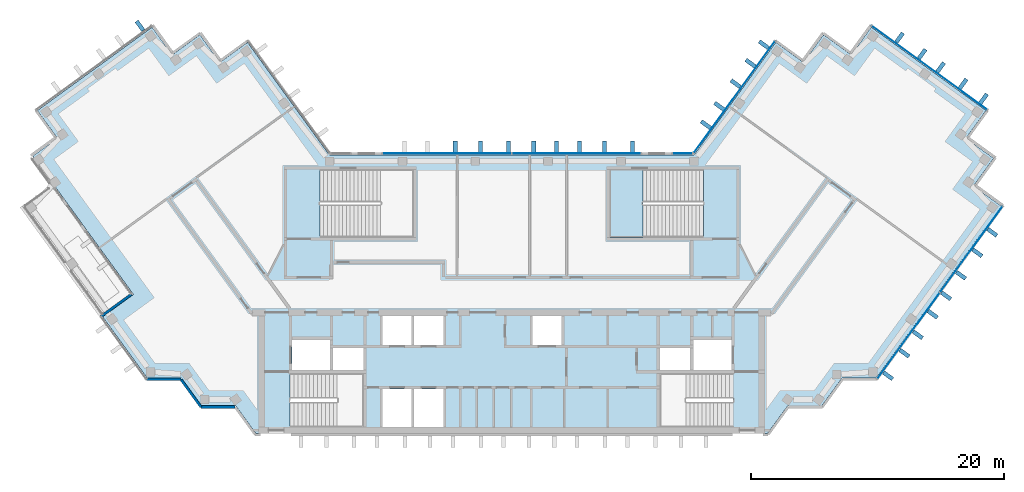
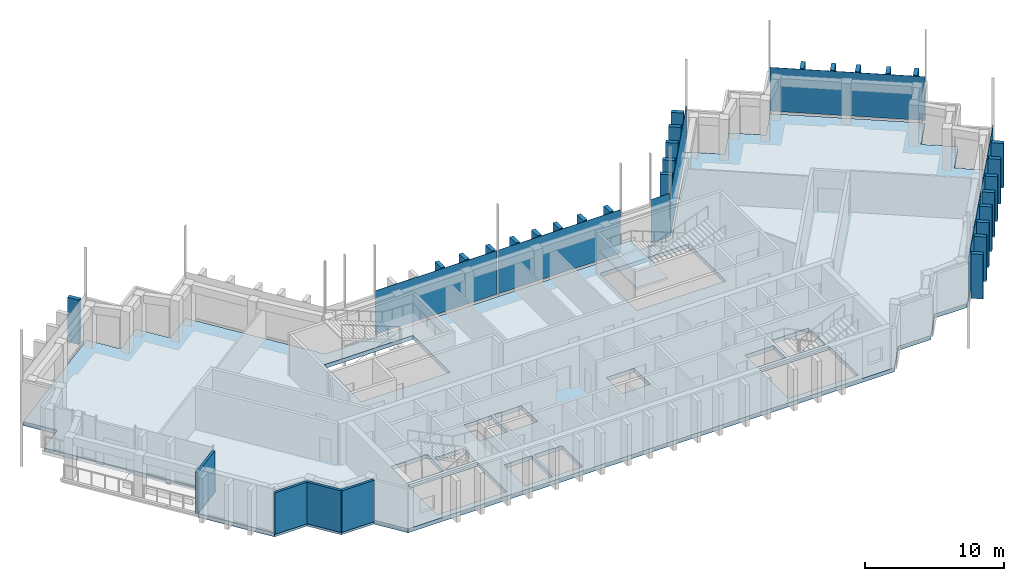
# One storey, part 8 of 14: 34 plates, 4 walls, 2 slabs, 6 elements without a shape of their own.
"""IFC4 building model written with IfcOpenShell, lengths in metres."""

from ifc_helpers import new_model, si_unit, direction, frame, frame_2d, origin, origin_2d, place, context, subcontext, project, spatial, polyline, rectangle, outline, extrude, material, layer, layer_set, type_object, element, aggregate, save


model = new_model("IFC4")

# Units and contexts
model_context = context("Model", 3, precision=1e-05, world=origin(), true_north=direction((0.0, 1.0)))
body_context = subcontext(model_context, "Body", "Model", "MODEL_VIEW")
ifc_project = project(units=[si_unit("LENGTHUNIT", "METRE"), si_unit("AREAUNIT", "SQUARE_METRE"), si_unit("VOLUMEUNIT", "CUBIC_METRE"), si_unit("PLANEANGLEUNIT", "RADIAN"), si_unit("MASSUNIT", "GRAM", prefix="KILO")], contexts=[model_context])

# Site, building, storey
site_placement = place(None, origin())
site = spatial("IfcSite", under=ifc_project, at=site_placement, CompositionType="ELEMENT")
building_placement = place(site_placement, origin())
building = spatial("IfcBuilding", under=site, at=building_placement, Name="Quipu Civic Tower", CompositionType="ELEMENT")
storey_placement = place(building_placement, frame((0.0, 0.0, 257.0)))
storey = spatial("IfcBuildingStorey", under=building, at=storey_placement, Name="L60", CompositionType="ELEMENT", Elevation=257.0)

# Slab
ifc_material_1 = material(Name="Concrete C40/50", Category="concrete")
ifc_layer_1 = layer(ifc_material_1, 0.35009765625)
ifc_layer_set_1 = layer_set([ifc_layer_1], Name="Concrete C40/50")
slab_type_1 = type_object("IfcSlabType", Name="Floor slab 350 C40/50", PredefinedType="FLOOR", material=ifc_layer_set_1)
slab_1_placement = place(storey_placement, frame((0.0, 0.0, -0.35009765625)))
element("IfcSlab", 1, at=slab_1_placement, inside=storey, type_object=slab_type_1, Name="Floor slab L60", PredefinedType="FLOOR", context=body_context, shape_type="SweptSolid", body=[
    extrude(outline(polyline([(-28.39990234375, 21.090087890625), (-26.81494140625, 18.905029296875), (-24.6298828125, 20.4951171875), (-23.0400390625, 18.31005859375), (-20.860107421875, 19.89501953125), (-14.39501953125, 11.0), (14.39501953125, 11.0), (20.860107421875, 19.89501953125), (23.0400390625, 18.31005859375), (24.6298828125, 20.4951171875), (26.81494140625, 18.905029296875), (28.39990234375, 21.090087890625), (37.4599609375, 14.5048828125), (35.875, 12.320068359375), (38.06005859375, 10.735107421875), (36.469970703125, 8.550048828125), (38.655029296875, 6.965087890625), (28.780029296875, -6.6298828125), (26.080078125, -6.6298828125), (24.489990234375, -8.81494140625), (21.7900390625, -8.81494140625), (20.205078125, -11.0), (-20.205078125, -11.0), (-21.7900390625, -8.81494140625), (-24.489990234375, -8.81494140625), (-26.080078125, -6.6298828125), (-28.780029296875, -6.6298828125), (-32.31005859375, -1.77490234375), (-29.8798828125, -0.010009765625), (-37.81494140625, 10.909912109375), (-35.875, 12.320068359375), (-37.4599609375, 14.5048828125), (-28.39990234375, 21.090087890625)]), holes=[polyline([(-10.199951171875, -10.5), (-7.89990234375, -10.5), (-7.89990234375, -7.5), (-10.199951171875, -7.5), (-10.199951171875, -10.5)]), polyline([(-7.699951171875, -7.5), (-7.699951171875, -10.5), (-5.39990234375, -10.5), (-5.39990234375, -7.5), (-7.699951171875, -7.5)]), polyline([(-11.705078125, -6.2548828125), (-17.4951171875, -6.2548828125), (-17.4951171875, -10.4951171875), (-11.705078125, -10.4951171875), (-11.705078125, -6.2548828125)]), polyline([(-14.10009765625, -6.0), (-11.699951171875, -6.0), (-11.699951171875, -4.25), (-14.10009765625, -4.25), (-14.10009765625, -6.0)]), polyline([(-17.35009765625, -3.60009765625), (-17.35009765625, -6.0), (-14.35009765625, -6.0), (-14.35009765625, -3.60009765625), (-17.35009765625, -3.60009765625)]), polyline([(-10.199951171875, -1.699951171875), (-10.199951171875, -4.0), (-7.89990234375, -4.0), (-7.89990234375, -1.699951171875), (-10.199951171875, -1.699951171875)]), polyline([(-15.14501953125, 9.844970703125), (-15.14501953125, 4.5048828125), (-7.7548828125, 4.5048828125), (-7.7548828125, 9.844970703125), (-15.14501953125, 9.844970703125)]), polyline([(11.705078125, -10.4951171875), (17.4951171875, -10.4951171875), (17.4951171875, -6.2548828125), (11.705078125, -6.2548828125), (11.705078125, -10.4951171875)]), polyline([(11.699951171875, -4.25), (11.699951171875, -6.0), (14.10009765625, -6.0), (14.10009765625, -4.25), (11.699951171875, -4.25)]), polyline([(14.35009765625, -3.60009765625), (14.35009765625, -6.0), (17.35009765625, -6.0), (17.35009765625, -3.60009765625), (14.35009765625, -3.60009765625)]), polyline([(-7.699951171875, -1.699951171875), (-7.699951171875, -4.0), (-5.39990234375, -4.0), (-5.39990234375, -1.699951171875), (-7.699951171875, -1.699951171875)]), polyline([(1.64990234375, -1.699951171875), (1.64990234375, -4.0), (3.949951171875, -4.0), (3.949951171875, -1.699951171875), (1.64990234375, -1.699951171875)]), polyline([(7.7548828125, 4.5048828125), (15.14501953125, 4.5048828125), (15.14501953125, 9.844970703125), (7.7548828125, 9.844970703125), (7.7548828125, 4.5048828125)])]), origin(), (0.0, 0.0, 1.0), 0.35009765625),
])

# Curtain wall, plates
ifc_material_2 = material(Name="Insulated glass unit", Category="glass")
curtain_wall_type = type_object("IfcCurtainWallType", Name="Office curtain wall CW1", PredefinedType="NOTDEFINED", material=ifc_material_2)
curtain_wall_1_placement = place(storey_placement, origin())
curtain_wall_1 = element("IfcCurtainWall", 2, at=curtain_wall_1_placement, inside=storey, type_object=curtain_wall_type, Name="Office curtain wall CW1 L59 run 13", PredefinedType="NOTDEFINED")
ifc_material_3 = material(Name="Insulated glass unit", Category="glass")
ifc_layer_2 = layer(ifc_material_3, 0.028076171875)
ifc_layer_set_2 = layer_set([ifc_layer_2], Name="Insulated glass unit")
plate_type_1 = type_object("IfcPlateType", Name="Glass panel CW1", PredefinedType="CURTAIN_PANEL", material=ifc_layer_set_2)
plate_1_placement = place(storey_placement, frame((31.333251953125, -3.285888671875, 0.16015625), z_axis=(0.0, 0.0, 1.0), x_axis=(0.587786237643, 0.809016278475, 0.0)))
plate_1 = element("IfcPlate", 3, at=plate_1_placement, type_object=plate_type_1, Name="CW1 panel 1.2", PredefinedType="CURTAIN_PANEL", context=body_context, shape_type="SweptSolid", body=[
    extrude(rectangle(XDim=8.35791015625, YDim=0.028076171875, at=origin_2d()), origin(), (0.0, 0.0, 1.0), 3.840087890625),
])
plate_2_placement = place(storey_placement, frame((36.292724609375, 3.54052734375, 0.16015625), z_axis=(0.0, 0.0, 1.0), x_axis=(0.587786237643, 0.809016278475, 0.0)))
plate_2 = element("IfcPlate", 4, at=plate_2_placement, type_object=plate_type_1, Name="CW1 panel 2.2", PredefinedType="CURTAIN_PANEL", context=body_context, shape_type="SweptSolid", body=[
    extrude(rectangle(XDim=8.35791015625, YDim=0.028076171875, at=origin_2d()), origin(), (0.0, 0.0, 1.0), 3.840087890625),
])
aggregate(curtain_wall_1, [plate_1, plate_2])

# Curtain wall, plate
curtain_wall_2_placement = place(storey_placement, origin())
curtain_wall_2 = element("IfcCurtainWall", 5, at=curtain_wall_2_placement, inside=storey, type_object=curtain_wall_type, Name="Office curtain wall CW1 L59 run 18", PredefinedType="NOTDEFINED")
plate_3_placement = place(storey_placement, frame((32.989990234375, 17.87939453125, 0.16015625), z_axis=(0.0, 0.0, 1.0), x_axis=(-0.809015176832, 0.587787753918, 0.0)))
plate_3 = element("IfcPlate", 6, at=plate_3_placement, type_object=plate_type_1, Name="CW1 panel 1.2", PredefinedType="CURTAIN_PANEL", context=body_context, shape_type="SweptSolid", body=[
    extrude(rectangle(XDim=11.239990234375, YDim=0.028076171875, at=origin_2d()), origin(), (0.0, 0.0, 1.0), 3.840087890625),
])
aggregate(curtain_wall_2, [plate_3])

curtain_wall_3_placement = place(storey_placement, origin())
curtain_wall_3 = element("IfcCurtainWall", 7, at=curtain_wall_3_placement, inside=storey, type_object=curtain_wall_type, Name="Office curtain wall CW1 L59 run 23", PredefinedType="NOTDEFINED")
plate_4_placement = place(storey_placement, frame((17.590087890625, 15.5673828125, 0.16015625), z_axis=(0.0, 0.0, 1.0), x_axis=(-0.587787771652, -0.809015163947, 0.0)))
plate_4 = element("IfcPlate", 8, at=plate_4_placement, type_object=plate_type_1, Name="CW1 panel 1.2", PredefinedType="CURTAIN_PANEL", context=body_context, shape_type="SweptSolid", body=[
    extrude(rectangle(XDim=10.88427734375, YDim=0.028076171875, at=origin_2d()), origin(), (0.0, 0.0, 1.0), 3.840087890625),
])
aggregate(curtain_wall_3, [plate_4])

curtain_wall_4_placement = place(storey_placement, origin())
curtain_wall_4 = element("IfcCurtainWall", 9, at=curtain_wall_4_placement, inside=storey, type_object=curtain_wall_type, Name="Office curtain wall CW1 L59 run 24", PredefinedType="NOTDEFINED")
plate_5_placement = place(storey_placement, frame((13.49951171875, 11.10009765625, 0.16015625), z_axis=(0.0, 0.0, 1.0), x_axis=(-1.0, 0.0, 0.0)))
plate_5 = element("IfcPlate", 10, at=plate_5_placement, type_object=plate_type_1, Name="CW1 panel 1.2", PredefinedType="CURTAIN_PANEL", context=body_context, shape_type="SweptSolid", body=[
    extrude(rectangle(XDim=1.529296875, YDim=0.028076171875, at=origin_2d()), origin(), (0.0, 0.0, 1.0), 3.840087890625),
])
aggregate(curtain_wall_4, [plate_5])

# Curtain wall, plates
curtain_wall_5_placement = place(storey_placement, origin())
curtain_wall_5 = element("IfcCurtainWall", 11, at=curtain_wall_5_placement, inside=storey, type_object=curtain_wall_type, Name="Office curtain wall CW1 L59 run 26", PredefinedType="NOTDEFINED")
plate_6_placement = place(storey_placement, frame((5.11181640625, 11.10009765625, 0.16015625), z_axis=(0.0, 0.0, 1.0), x_axis=(-1.0, 0.0, 0.0)))
plate_6 = element("IfcPlate", 12, at=plate_6_placement, type_object=plate_type_1, Name="CW1 panel 1.2", PredefinedType="CURTAIN_PANEL", context=body_context, shape_type="SweptSolid", body=[
    extrude(rectangle(XDim=10.1435546875, YDim=0.028076171875, at=origin_2d()), origin(), (0.0, 0.0, 1.0), 3.840087890625),
])
plate_7_placement = place(storey_placement, frame((-5.11181640625, 11.10009765625, 0.16015625), z_axis=(0.0, 0.0, 1.0), x_axis=(-1.0, 0.0, 0.0)))
plate_7 = element("IfcPlate", 13, at=plate_7_placement, type_object=plate_type_1, Name="CW1 panel 2.2", PredefinedType="CURTAIN_PANEL", context=body_context, shape_type="SweptSolid", body=[
    extrude(rectangle(XDim=10.1435546875, YDim=0.028076171875, at=origin_2d()), origin(), (0.0, 0.0, 1.0), 3.840087890625),
])
aggregate(curtain_wall_5, [plate_6, plate_7])

# Plates
ifc_material_4 = material(Name="Precast concrete C40/50", Category="concrete")
plate_type_2 = type_object("IfcPlateType", Name="Precast fin F3", PredefinedType="SHEET", material=ifc_material_4)
for number, where, z_axis, x_axis, name in (
    (14, (29.721923828125, -6.43896484375, 0.080078125), (0.0, 0.0, 1.0), (0.587786668783, 0.809015965233, 0.0), "Precast fin F3 L60.P10.1"),
    (15, (31.01513671875, -4.6591796875, 0.080078125), (0.0, 0.0, 1.0), (0.587786668783, 0.809015965233, 0.0), "Precast fin F3 L60.P10.2"),
    (16, (32.0732421875, -3.202880859375, 0.080078125), (0.0, 0.0, 1.0), (0.587786668783, 0.809015965233, 0.0), "Precast fin F3 L60.P10.3"),
    (17, (33.248779296875, -1.5849609375, 0.080078125), (0.0, 0.0, 1.0), (0.587786668783, 0.809015965233, 0.0), "Precast fin F3 L60.P10.4"),
    (18, (34.306640625, -0.128662109375, 0.080078125), (0.0, 0.0, 1.0), (0.587786668783, 0.809015965233, 0.0), "Precast fin F3 L60.P10.5"),
    (19, (35.482177734375, 1.489501953125, 0.080078125), (0.0, 0.0, 1.0), (0.587786668783, 0.809015965233, 0.0), "Precast fin F3 L60.P10.6"),
    (20, (36.775390625, 3.269287109375, 0.080078125), (0.0, 0.0, 1.0), (0.587786668783, 0.809015965233, 0.0), "Precast fin F3 L60.P10.7"),
    (21, (37.950927734375, 4.88720703125, 0.080078125), (0.0, 0.0, 1.0), (0.587786668783, 0.809015965233, 0.0), "Precast fin F3 L60.P10.8"),
    (22, (37.26953125, 15.449951171875, 0.080078125), (0.0, 0.0, 1.0), (-0.809017072762, 0.587785144401, 0.0), "Precast fin F3 L60.P15.1"),
    (23, (35.6513671875, 16.62548828125, 0.080078125), (0.0, 0.0, 1.0), (-0.809017072762, 0.587785144401, 0.0), "Precast fin F3 L60.P15.2"),
    (24, (33.87158203125, 17.918701171875, 0.080078125), (0.0, 0.0, 1.0), (-0.809017072762, 0.587785144401, 0.0), "Precast fin F3 L60.P15.3"),
    (25, (32.415283203125, 18.976806640625, 0.080078125), (0.0, 0.0, 1.0), (-0.809017072762, 0.587785144401, 0.0), "Precast fin F3 L60.P15.4"),
    (26, (30.635498046875, 20.269775390625, 0.080078125), (0.0, 0.0, 1.0), (-0.809017072762, 0.587785144401, 0.0), "Precast fin F3 L60.P15.5"),
    (27, (19.914794921875, 19.702880859375, 0.080078125), (0.0, 0.0, 1.0), (-0.58778443384, -0.809017589015, 0.0), "Precast fin F3 L60.P20.1"),
    (28, (18.856689453125, 18.246826171875, 0.080078125), (0.0, 0.0, 1.0), (-0.58778443384, -0.809017589015, 0.0), "Precast fin F3 L60.P20.2"),
    (29, (17.68115234375, 16.628662109375, 0.080078125), (0.0, 0.0, 1.0), (-0.58778443384, -0.809017589015, 0.0), "Precast fin F3 L60.P20.3"),
    (30, (16.38818359375, 14.848876953125, 0.080078125), (0.0, 0.0, 1.0), (-0.58778443384, -0.809017589015, 0.0), "Precast fin F3 L60.P20.4"),
    (31, (15.330078125, 13.392578125, 0.080078125), (0.0, 0.0, 1.0), (-0.58778443384, -0.809017589015, 0.0), "Precast fin F3 L60.P20.5"),
    (32, (9.5400390625, 11.64990234375, 0.080078125), (0.0, 0.0, 1.0), (-1.0, 0.0, 0.0), "Precast fin F3 L60.P23.1"),
    (33, (7.340087890625, 11.64990234375, 0.080078125), (0.0, 0.0, 1.0), (-1.0, 0.0, 0.0), "Precast fin F3 L60.P23.2"),
    (34, (5.340087890625, 11.64990234375, 0.080078125), (0.0, 0.0, 1.0), (-1.0, 0.0, 0.0), "Precast fin F3 L60.P23.3"),
    (35, (3.5400390625, 11.64990234375, 0.080078125), (0.0, 0.0, 1.0), (-1.0, 0.0, 0.0), "Precast fin F3 L60.P23.4"),
    (36, (1.739990234375, 11.64990234375, 0.080078125), (0.0, 0.0, 1.0), (-1.0, 0.0, 0.0), "Precast fin F3 L60.P23.5"),
    (37, (-0.260009765625, 11.64990234375, 0.080078125), (0.0, 0.0, 1.0), (-1.0, 0.0, 0.0), "Precast fin F3 L60.P23.6"),
    (38, (-2.4599609375, 11.64990234375, 0.080078125), (0.0, 0.0, 1.0), (-1.0, 0.0, 0.0), "Precast fin F3 L60.P23.7"),
    (39, (-4.4599609375, 11.64990234375, 0.080078125), (0.0, 0.0, 1.0), (-1.0, 0.0, 0.0), "Precast fin F3 L60.P23.8"),
    (40, (-29.357177734375, 21.198486328125, 0.080078125), (0.0, 0.0, 1.0), (-0.809017072762, -0.587785144401, 0.0), "Precast fin F3 L60.P31.1"),
):
    element("IfcPlate", number, at=place(storey_placement, frame(where, z_axis=z_axis, x_axis=x_axis)), inside=storey, type_object=plate_type_2, Name=name, PredefinedType="SHEET", context=body_context, shape_type="SweptSolid", body=[
        extrude(rectangle(XDim=0.320068359375, YDim=0.89990234375, at=origin_2d()), origin(), (0.0, 0.0, 1.0), 3.919921875),
    ])

# Stair, slab
ifc_material_5 = material(Name="Concrete C40/50", Category="concrete")
stair_type = type_object("IfcStairType", Name="Half turn stair 2600", PredefinedType="HALF_TURN_STAIR", material=ifc_material_5)
stair_placement = place(storey_placement, origin())
stair = element("IfcStair", 41, at=stair_placement, inside=storey, type_object=stair_type, Name="Exit stair 4", PredefinedType="HALF_TURN_STAIR")
ifc_material_6 = material(Name="Concrete C40/50", Category="concrete")
ifc_layer_3 = layer(ifc_material_6, 0.199951171875)
ifc_layer_set_3 = layer_set([ifc_layer_3], Name="Concrete C40/50")
slab_type_2 = type_object("IfcSlabType", Name="Stair landing 200", PredefinedType="LANDING", material=ifc_layer_set_3)
slab_2_placement = place(storey_placement, frame((0.0, 0.0, 1.800048828125)))
slab_2 = element("IfcSlab", 42, at=slab_2_placement, type_object=slab_type_2, Name="ST-4 landing 1", PredefinedType="LANDING", context=body_context, shape_type="SweptSolid", body=[
    extrude(outline(polyline([(10.35009765625, 9.85009765625), (7.75, 9.85009765625), (7.75, 4.5), (10.35009765625, 4.5), (10.35009765625, 9.85009765625)])), origin(), (0.0, 0.0, 1.0), 0.199951171875),
])
aggregate(stair, [slab_2])

# Walls
ifc_material_7 = material(Name="Precast concrete C40/50", Category="concrete")
wall_type = type_object("IfcWallType", Name="Precast cladding wall", PredefinedType="SOLIDWALL", material=ifc_material_7)
wall_1_placement = place(storey_placement, frame((-30.013916015625, 0.00244140625, 0.0), z_axis=(0.0, 0.0, 1.0), x_axis=(-0.808999938455, -0.587808727036, 0.0)))
element("IfcWall", 43, at=wall_1_placement, inside=storey, type_object=wall_type, Name="Precast cladding wall L60 6", PredefinedType="SOLIDWALL", context=body_context, shape_type="SweptSolid", body=[
    extrude(rectangle(XDim=3.0, YDim=0.199951171875, at=frame_2d((1.5, 0.0))), origin(), (0.0, 0.0, 1.0), 3.64990234375),
])
wall_2_placement = place(storey_placement, frame((-28.829833984375, -6.71923828125, 0.0), z_axis=(0.0, 0.0, 1.0), x_axis=(1.0, 0.0, 0.0)))
element("IfcWall", 44, at=wall_2_placement, inside=storey, type_object=wall_type, Name="Precast cladding wall L60 P33", PredefinedType="SOLIDWALL", context=body_context, shape_type="SweptSolid", body=[
    extrude(rectangle(XDim=2.699951171875, YDim=0.199951171875, at=frame_2d((1.35009765625, 0.0))), origin(), (0.0, 0.0, 1.0), 3.64990234375),
])
wall_3_placement = place(storey_placement, frame((-26.1201171875, -6.72412109375, 0.0), z_axis=(0.0, 0.0, 1.0), x_axis=(0.587720002413, -0.809064397168, 0.0)))
element("IfcWall", 45, at=wall_3_placement, inside=storey, type_object=wall_type, Name="Precast cladding wall L60 P34", PredefinedType="SOLIDWALL", context=body_context, shape_type="SweptSolid", body=[
    extrude(rectangle(XDim=2.7001953125, YDim=0.199951171875, at=frame_2d((1.35009765625, 0.0))), origin(), (0.0, 0.0, 1.0), 3.64990234375),
])
wall_4_placement = place(storey_placement, frame((-24.542724609375, -8.90380859375, 0.0), z_axis=(0.0, 0.0, 1.0), x_axis=(1.0, 0.0, 0.0)))
element("IfcWall", 46, at=wall_4_placement, inside=storey, type_object=wall_type, Name="Precast cladding wall L60 P35", PredefinedType="SOLIDWALL", context=body_context, shape_type="SweptSolid", body=[
    extrude(rectangle(XDim=2.699951171875, YDim=0.199951171875, at=frame_2d((1.35009765625, 0.0))), origin(), (0.0, 0.0, 1.0), 3.64990234375),
])

save(model, "model.ifc")
